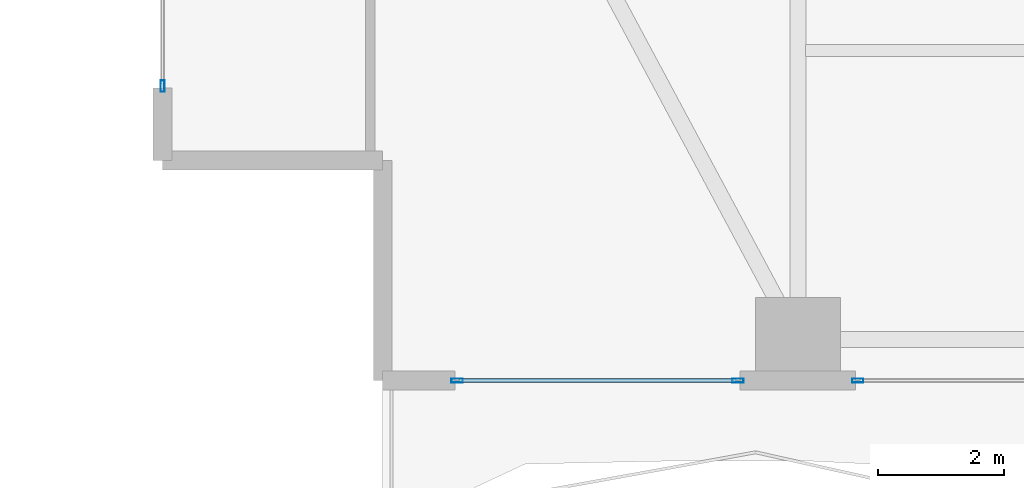
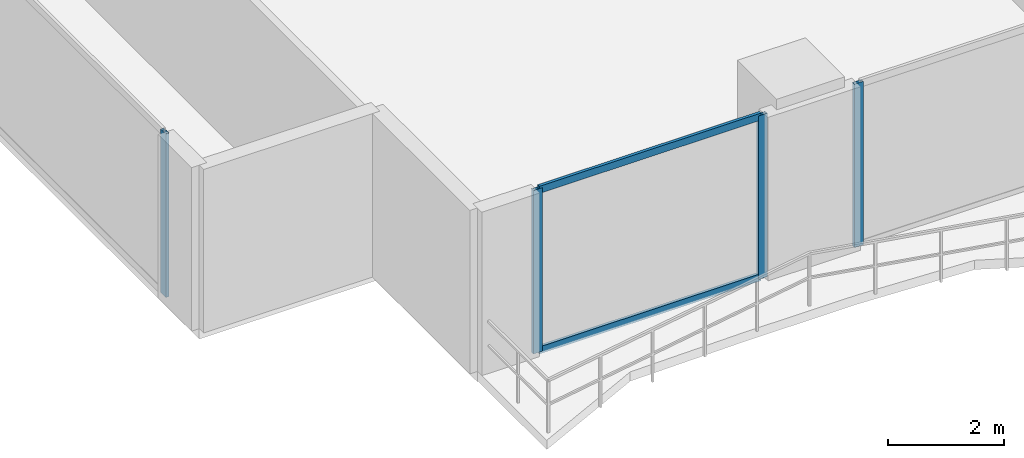
# One storey, part 2 of 28: 6 members, 3 elements without a shape of their own.
"""IFC4 building model written with IfcOpenShell, lengths in metres."""

from ifc_helpers import new_model, si_unit, direction, frame, origin, origin_2d, place, context, subcontext, project, spatial, hollow_rectangle, extrude, material, layer, layer_set, material_profile, profile_set, type_object, element, aggregate, save


model = new_model("IFC4")

# Units and contexts
model_context = context("Model", 3, precision=1e-05, world=origin(), true_north=direction((0.0, 1.0)))
body_context = subcontext(model_context, "Body", "Model", "MODEL_VIEW")
ifc_project = project(units=[si_unit("LENGTHUNIT", "METRE"), si_unit("AREAUNIT", "SQUARE_METRE"), si_unit("VOLUMEUNIT", "CUBIC_METRE"), si_unit("PLANEANGLEUNIT", "RADIAN"), si_unit("MASSUNIT", "GRAM", prefix="KILO")], contexts=[model_context])

# Site, building, storey
site_placement = place(None, origin())
site = spatial("IfcSite", under=ifc_project, at=site_placement, CompositionType="ELEMENT")
building_placement = place(site_placement, origin())
building = spatial("IfcBuilding", under=site, at=building_placement, Name="Zuhayl Quay Hotel", CompositionType="ELEMENT")
storey_placement = place(building_placement, frame((0.0, 0.0, 110.25)))
storey = spatial("IfcBuildingStorey", under=building, at=storey_placement, Name="L27", CompositionType="ELEMENT", Elevation=110.25)

# Curtain wall, member
ifc_material_1 = material(Name="Anodised Aluminium 6063-T6", Category="aluminium")
ifc_layer = layer(ifc_material_1, 0.179931640625, Name="Anodised Aluminium 6063-T6", Category="aluminium")
ifc_layer_set = layer_set([ifc_layer], Name="Anodised Aluminium 6063-T6")
curtain_wall_type = type_object("IfcCurtainWallType", Name="CW_SYS_Z2", PredefinedType="USERDEFINED", material=ifc_layer_set)
curtain_wall_1_placement = place(storey_placement, origin())
curtain_wall_1 = element("IfcCurtainWall", 1, at=curtain_wall_1_placement, inside=storey, type_object=curtain_wall_type, Name="L27 Curtain Wall ENV_L27_E02_CW1", ObjectType="UNITISED CURTAIN WALL", PredefinedType="USERDEFINED")
ifc_material_2 = material(Name="Black-anodised aluminium 6063-T6", Category="aluminium")
ifc_material_profile_1 = material_profile(ifc_material_2, hollow_rectangle(XDim=0.06494140625, YDim=0.179931640625, WallThickness=0.00341796875, at=origin_2d()), Name="ALU180X65")
ifc_profile_set_1 = profile_set([ifc_material_profile_1], Name="Black-anodised aluminium 6063-T6")
member_type_1 = type_object("IfcMemberType", Name="MB_CW_MUL_180", PredefinedType="MULLION", material=ifc_profile_set_1)
member_1_placement = place(storey_placement, frame((-23.89990234375, -10.717529296875, 0.0), z_axis=(0.0, 0.0, 1.0), x_axis=(-1.0, 0.0, 0.0)))
member_1 = element("IfcMember", 2, at=member_1_placement, type_object=member_type_1, Name="CW-Z2 mullion 1", PredefinedType="MULLION", context=body_context, shape_type="SweptSolid", body=[
    extrude(hollow_rectangle(XDim=0.06494140625, YDim=0.179931640625, WallThickness=0.00341796875, at=origin_2d()), origin(), (0.0, 0.0, 1.0), 3.429931640625),
])
aggregate(curtain_wall_1, [member_1])

curtain_wall_2_placement = place(storey_placement, origin())
curtain_wall_2 = element("IfcCurtainWall", 3, at=curtain_wall_2_placement, inside=storey, type_object=curtain_wall_type, Name="L27 Curtain Wall ENV_L27_S_CW5", ObjectType="UNITISED CURTAIN WALL", PredefinedType="USERDEFINED")
member_2_placement = place(storey_placement, frame((-12.847412109375, -15.39990234375, 0.0), z_axis=(0.0, 0.0, 1.0), x_axis=(0.0, -1.0, 0.0)))
member_2 = element("IfcMember", 4, at=member_2_placement, type_object=member_type_1, Name="CW-Z2 mullion 2", PredefinedType="MULLION", context=body_context, shape_type="SweptSolid", body=[
    extrude(hollow_rectangle(XDim=0.06494140625, YDim=0.179931640625, WallThickness=0.00341796875, at=origin_2d()), origin(), (0.0, 0.0, 1.0), 3.429931640625),
])
aggregate(curtain_wall_2, [member_2])

# Curtain wall, members
curtain_wall_3_placement = place(storey_placement, origin())
curtain_wall_3 = element("IfcCurtainWall", 5, at=curtain_wall_3_placement, inside=storey, type_object=curtain_wall_type, Name="L27 Curtain Wall ENV_L27_S_CW6", ObjectType="UNITISED CURTAIN WALL", PredefinedType="USERDEFINED")
member_3_placement = place(storey_placement, frame((-14.75244140625, -15.39990234375, 0.0), z_axis=(0.0, 0.0, 1.0), x_axis=(0.0, -1.0, 0.0)))
member_3 = element("IfcMember", 6, at=member_3_placement, type_object=member_type_1, Name="CW-Z2 mullion 1", PredefinedType="MULLION", context=body_context, shape_type="SweptSolid", body=[
    extrude(hollow_rectangle(XDim=0.06494140625, YDim=0.179931640625, WallThickness=0.00341796875, at=origin_2d()), origin(), (0.0, 0.0, 1.0), 3.429931640625),
])
member_4_placement = place(storey_placement, frame((-19.217529296875, -15.39990234375, 0.0), z_axis=(0.0, 0.0, 1.0), x_axis=(0.0, -1.0, 0.0)))
member_4 = element("IfcMember", 7, at=member_4_placement, type_object=member_type_1, Name="CW-Z2 mullion 2", PredefinedType="MULLION", context=body_context, shape_type="SweptSolid", body=[
    extrude(hollow_rectangle(XDim=0.06494140625, YDim=0.179931640625, WallThickness=0.00341796875, at=origin_2d()), origin(), (0.0, 0.0, 1.0), 3.429931640625),
])
ifc_material_profile_2 = material_profile(ifc_material_2, hollow_rectangle(XDim=0.06005859375, YDim=0.14990234375, WallThickness=0.00341796875, at=origin_2d()), Name="ALU150X60")
ifc_profile_set_2 = profile_set([ifc_material_profile_2], Name="Black-anodised aluminium 6063-T6")
member_type_2 = type_object("IfcMemberType", Name="MB_CW_TRN_150", PredefinedType="USERDEFINED", material=ifc_profile_set_2)
member_5_placement = place(storey_placement, frame((-14.784912109375, -15.39990234375, 0.030029296875), z_axis=(-1.0, 0.0, 0.0), x_axis=(0.0, -1.0, 0.0)))
member_5 = element("IfcMember", 8, at=member_5_placement, type_object=member_type_2, Name="CW-Z2 transom 1.1", ObjectType="TRANSOM", PredefinedType="USERDEFINED", context=body_context, shape_type="SweptSolid", body=[
    extrude(hollow_rectangle(XDim=0.06005859375, YDim=0.14990234375, WallThickness=0.00341796875, at=origin_2d()), origin(), (0.0, 0.0, 1.0), 4.400146484375),
])
member_6_placement = place(storey_placement, frame((-14.784912109375, -15.39990234375, 3.39990234375), z_axis=(-1.0, 0.0, 0.0), x_axis=(0.0, -1.0, 0.0)))
member_6 = element("IfcMember", 9, at=member_6_placement, type_object=member_type_2, Name="CW-Z2 transom 1.2", ObjectType="TRANSOM", PredefinedType="USERDEFINED", context=body_context, shape_type="SweptSolid", body=[
    extrude(hollow_rectangle(XDim=0.06005859375, YDim=0.14990234375, WallThickness=0.00341796875, at=origin_2d()), origin(), (0.0, 0.0, 1.0), 4.400146484375),
])
aggregate(curtain_wall_3, [member_3, member_4, member_5, member_6])

save(model, "model.ifc")
